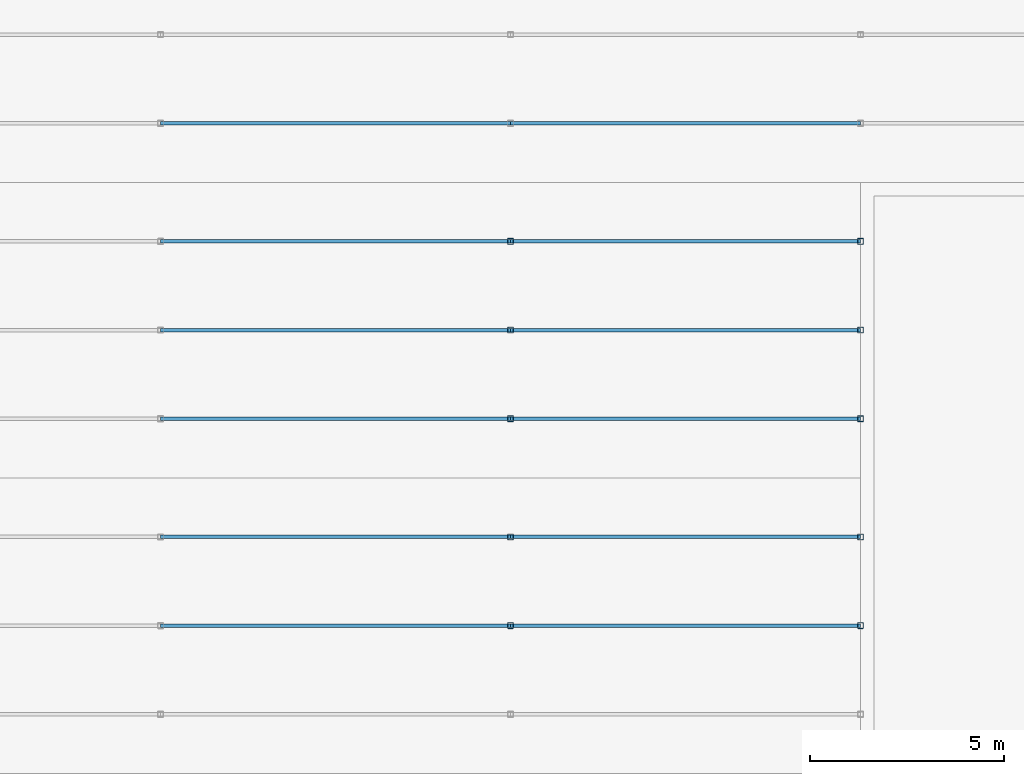
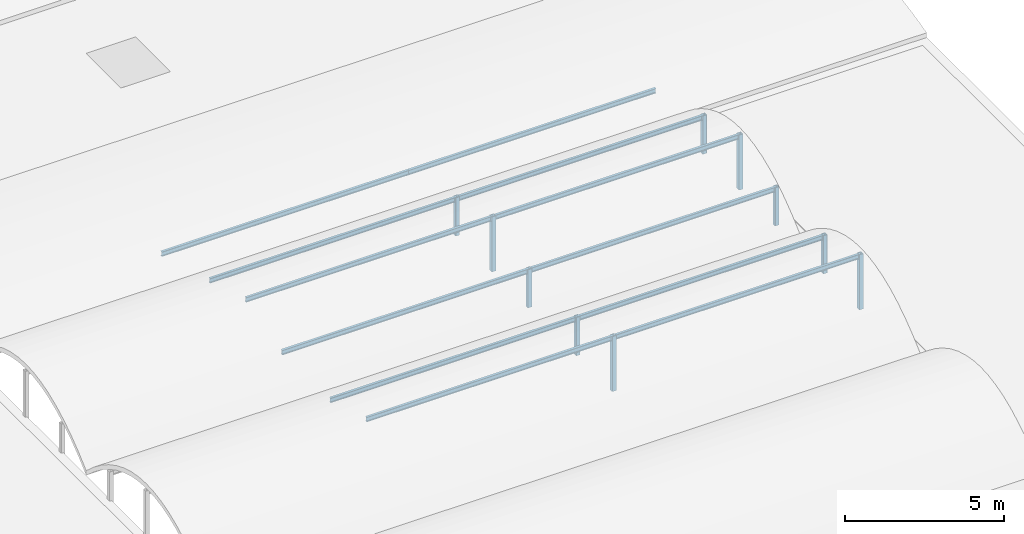
# One storey, part 19 of 46: 22 members.
"""IFC4 building model written with IfcOpenShell, lengths in metres."""

from ifc_helpers import new_model, si_unit, direction, frame, origin, origin_2d, place, context, subcontext, project, spatial, hollow_rectangle, i_section, extrude, material, material_profile, profile_set, type_object, element, save


model = new_model("IFC4")

# Units and contexts
model_context = context("Model", 3, precision=1e-05, world=origin(), true_north=direction((0.0, 1.0)))
body_context = subcontext(model_context, "Body", "Model", "MODEL_VIEW")
ifc_project = project(units=[si_unit("LENGTHUNIT", "METRE"), si_unit("AREAUNIT", "SQUARE_METRE"), si_unit("VOLUMEUNIT", "CUBIC_METRE"), si_unit("PLANEANGLEUNIT", "RADIAN"), si_unit("MASSUNIT", "GRAM", prefix="KILO")], contexts=[model_context])

# Site, building, storey
site_placement = place(None, origin())
site = spatial("IfcSite", under=ifc_project, at=site_placement, CompositionType="ELEMENT")
building_placement = place(site_placement, origin())
building = spatial("IfcBuilding", under=site, at=building_placement, Name="Shalkamar Park Central Library", CompositionType="ELEMENT")
storey_placement = place(building_placement, frame((0.0, 0.0, 20.39990234375)))
storey = spatial("IfcBuildingStorey", under=building, at=storey_placement, Name="L05", CompositionType="ELEMENT", Elevation=20.39990234375)

# Members
ifc_material = material(Name="Steel S355", Category="steel")
ifc_material_profile_1 = material_profile(ifc_material, hollow_rectangle(XDim=0.14990234375, YDim=0.14990234375, WallThickness=0.008056640625, InnerFilletRadius=0.008056640625, OuterFilletRadius=0.011962890625, at=origin_2d()), Name="SHS 150x150x8")
ifc_profile_set_1 = profile_set([ifc_material_profile_1], Name="Steel S355")
member_type_1 = type_object("IfcMemberType", Name="Diagonal Brace SHS150", PredefinedType="BRACE", material=ifc_profile_set_1)
member_1_placement = place(storey_placement, frame((246.0, 281.800048828125, -0.35986328125), z_axis=(0.0, 0.0, 1.0), x_axis=(1.0, 0.0, 0.0)))
element("IfcMember", 1, at=member_1_placement, inside=storey, type_object=member_type_1, Name="Vault Arch Post BV-L04-2-17.2", PredefinedType="BRACE", context=body_context, shape_type="SweptSolid", body=[
    extrude(hollow_rectangle(XDim=0.14990234375, YDim=0.14990234375, WallThickness=0.008056640625, InnerFilletRadius=0.008056640625, OuterFilletRadius=0.011962890625, at=origin_2d()), origin(), (0.0, 0.0, 1.0), 2.119873046875),
])
member_2_placement = place(storey_placement, frame((246.0, 284.080078125, -0.35986328125), z_axis=(0.0, 0.0, 1.0), x_axis=(1.0, 0.0, 0.0)))
element("IfcMember", 2, at=member_2_placement, inside=storey, type_object=member_type_1, Name="Vault Arch Post BV-L04-2-17.3", PredefinedType="BRACE", context=body_context, shape_type="SweptSolid", body=[
    extrude(hollow_rectangle(XDim=0.14990234375, YDim=0.14990234375, WallThickness=0.008056640625, InnerFilletRadius=0.008056640625, OuterFilletRadius=0.011962890625, at=origin_2d()), origin(), (0.0, 0.0, 1.0), 1.471923828125),
])
member_3_placement = place(storey_placement, frame((255.0, 281.800048828125, -0.35986328125), z_axis=(0.0, 0.0, 1.0), x_axis=(1.0, 0.0, 0.0)))
element("IfcMember", 3, at=member_3_placement, inside=storey, type_object=member_type_1, Name="Vault Arch Post BV-L04-2-18.2", PredefinedType="BRACE", context=body_context, shape_type="SweptSolid", body=[
    extrude(hollow_rectangle(XDim=0.14990234375, YDim=0.14990234375, WallThickness=0.008056640625, InnerFilletRadius=0.008056640625, OuterFilletRadius=0.011962890625, at=origin_2d()), origin(), (0.0, 0.0, 1.0), 2.119873046875),
])
for number, where, z_axis, x_axis, name in (
    (4, (255.0, 284.080078125, -0.35986328125), (0.0, 0.0, 1.0), (1.0, 0.0, 0.0), "Vault Arch Post BV-L04-2-18.3"),
    (5, (246.0, 287.1201171875, -0.35986328125), (0.0, 0.0, 1.0), (1.0, 0.0, 0.0), "Vault Arch Post BV-L04-3-17.1"),
):
    element("IfcMember", number, at=place(storey_placement, frame(where, z_axis=z_axis, x_axis=x_axis)), inside=storey, type_object=member_type_1, Name=name, PredefinedType="BRACE", context=body_context, shape_type="SweptSolid", body=[
        extrude(hollow_rectangle(XDim=0.14990234375, YDim=0.14990234375, WallThickness=0.008056640625, InnerFilletRadius=0.008056640625, OuterFilletRadius=0.011962890625, at=origin_2d()), origin(), (0.0, 0.0, 1.0), 1.471923828125),
    ])
member_4_placement = place(storey_placement, frame((246.0, 289.39990234375, -0.35986328125), z_axis=(0.0, 0.0, 1.0), x_axis=(1.0, 0.0, 0.0)))
element("IfcMember", 6, at=member_4_placement, inside=storey, type_object=member_type_1, Name="Vault Arch Post BV-L04-3-17.2", PredefinedType="BRACE", context=body_context, shape_type="SweptSolid", body=[
    extrude(hollow_rectangle(XDim=0.14990234375, YDim=0.14990234375, WallThickness=0.008056640625, InnerFilletRadius=0.008056640625, OuterFilletRadius=0.011962890625, at=origin_2d()), origin(), (0.0, 0.0, 1.0), 2.119873046875),
])
for number, where, z_axis, x_axis, name in (
    (7, (246.0, 291.679931640625, -0.35986328125), (0.0, 0.0, 1.0), (1.0, 0.0, 0.0), "Vault Arch Post BV-L04-3-17.3"),
    (8, (255.0, 287.1201171875, -0.35986328125), (0.0, 0.0, 1.0), (1.0, 0.0, 0.0), "Vault Arch Post BV-L04-3-18.1"),
):
    element("IfcMember", number, at=place(storey_placement, frame(where, z_axis=z_axis, x_axis=x_axis)), inside=storey, type_object=member_type_1, Name=name, PredefinedType="BRACE", context=body_context, shape_type="SweptSolid", body=[
        extrude(hollow_rectangle(XDim=0.14990234375, YDim=0.14990234375, WallThickness=0.008056640625, InnerFilletRadius=0.008056640625, OuterFilletRadius=0.011962890625, at=origin_2d()), origin(), (0.0, 0.0, 1.0), 1.471923828125),
    ])
member_5_placement = place(storey_placement, frame((255.0, 289.39990234375, -0.35986328125), z_axis=(0.0, 0.0, 1.0), x_axis=(1.0, 0.0, 0.0)))
element("IfcMember", 9, at=member_5_placement, inside=storey, type_object=member_type_1, Name="Vault Arch Post BV-L04-3-18.2", PredefinedType="BRACE", context=body_context, shape_type="SweptSolid", body=[
    extrude(hollow_rectangle(XDim=0.14990234375, YDim=0.14990234375, WallThickness=0.008056640625, InnerFilletRadius=0.008056640625, OuterFilletRadius=0.011962890625, at=origin_2d()), origin(), (0.0, 0.0, 1.0), 2.119873046875),
])
member_6_placement = place(storey_placement, frame((255.0, 291.679931640625, -0.35986328125), z_axis=(0.0, 0.0, 1.0), x_axis=(1.0, 0.0, 0.0)))
element("IfcMember", 10, at=member_6_placement, inside=storey, type_object=member_type_1, Name="Vault Arch Post BV-L04-3-18.3", PredefinedType="BRACE", context=body_context, shape_type="SweptSolid", body=[
    extrude(hollow_rectangle(XDim=0.14990234375, YDim=0.14990234375, WallThickness=0.008056640625, InnerFilletRadius=0.008056640625, OuterFilletRadius=0.011962890625, at=origin_2d()), origin(), (0.0, 0.0, 1.0), 1.471923828125),
])
ifc_material_profile_2 = material_profile(ifc_material, i_section(OverallWidth=0.091064453125, OverallDepth=0.179931640625, WebThickness=0.00537109375, FlangeThickness=0.008056640625, FilletRadius=0.009033203125, at=origin_2d()), Name="IPE 180")
ifc_profile_set_2 = profile_set([ifc_material_profile_2], Name="Steel S355")
member_type_2 = type_object("IfcMemberType", Name="Roof Purlin IPE180", PredefinedType="PURLIN", material=ifc_profile_set_2)
for number, where, z_axis, x_axis, name in (
    (11, (237.0, 281.800048828125, 1.670166015625), (1.0, 0.0, 0.0), (0.0, 1.0, 0.0), "Barrel Roof Purlin BV-L04-2-2.16"),
    (12, (246.0, 281.800048828125, 1.670166015625), (1.0, 0.0, 0.0), (0.0, 1.0, 0.0), "Barrel Roof Purlin BV-L04-2-2.17"),
    (13, (237.0, 284.080078125, 1.022216796875), (1.0, 0.0, 0.0), (0.0, 1.0, 0.0), "Barrel Roof Purlin BV-L04-2-3.16"),
    (14, (246.0, 284.080078125, 1.022216796875), (1.0, 0.0, 0.0), (0.0, 1.0, 0.0), "Barrel Roof Purlin BV-L04-2-3.17"),
    (15, (237.0, 287.1201171875, 1.022216796875), (1.0, 0.0, 0.0), (0.0, 1.0, 0.0), "Barrel Roof Purlin BV-L04-3-1.16"),
    (16, (246.0, 287.1201171875, 1.022216796875), (1.0, 0.0, 0.0), (0.0, 1.0, 0.0), "Barrel Roof Purlin BV-L04-3-1.17"),
    (17, (237.0, 289.39990234375, 1.670166015625), (1.0, 0.0, 0.0), (0.0, 1.0, 0.0), "Barrel Roof Purlin BV-L04-3-2.16"),
    (18, (246.0, 289.39990234375, 1.670166015625), (1.0, 0.0, 0.0), (0.0, 1.0, 0.0), "Barrel Roof Purlin BV-L04-3-2.17"),
    (19, (237.0, 291.679931640625, 1.022216796875), (1.0, 0.0, 0.0), (0.0, 1.0, 0.0), "Barrel Roof Purlin BV-L04-3-3.16"),
    (20, (246.0, 291.679931640625, 1.022216796875), (1.0, 0.0, 0.0), (0.0, 1.0, 0.0), "Barrel Roof Purlin BV-L04-3-3.17"),
    (21, (237.0, 294.719970703125, 0.202880859375), (1.0, 0.0, 0.0), (0.0, 1.0, 0.0), "Barrel Roof Purlin BV-L04-N1-1.16"),
    (22, (246.0, 294.719970703125, 0.202880859375), (1.0, 0.0, 0.0), (0.0, 1.0, 0.0), "Barrel Roof Purlin BV-L04-N1-1.17"),
):
    element("IfcMember", number, at=place(storey_placement, frame(where, z_axis=z_axis, x_axis=x_axis)), inside=storey, type_object=member_type_2, Name=name, PredefinedType="PURLIN", context=body_context, shape_type="SweptSolid", body=[
        extrude(i_section(OverallWidth=0.091064453125, OverallDepth=0.179931640625, WebThickness=0.00537109375, FlangeThickness=0.008056640625, FilletRadius=0.009033203125, at=origin_2d()), origin(), (0.0, 0.0, 1.0), 9.0),
    ])

save(model, "model.ifc")
